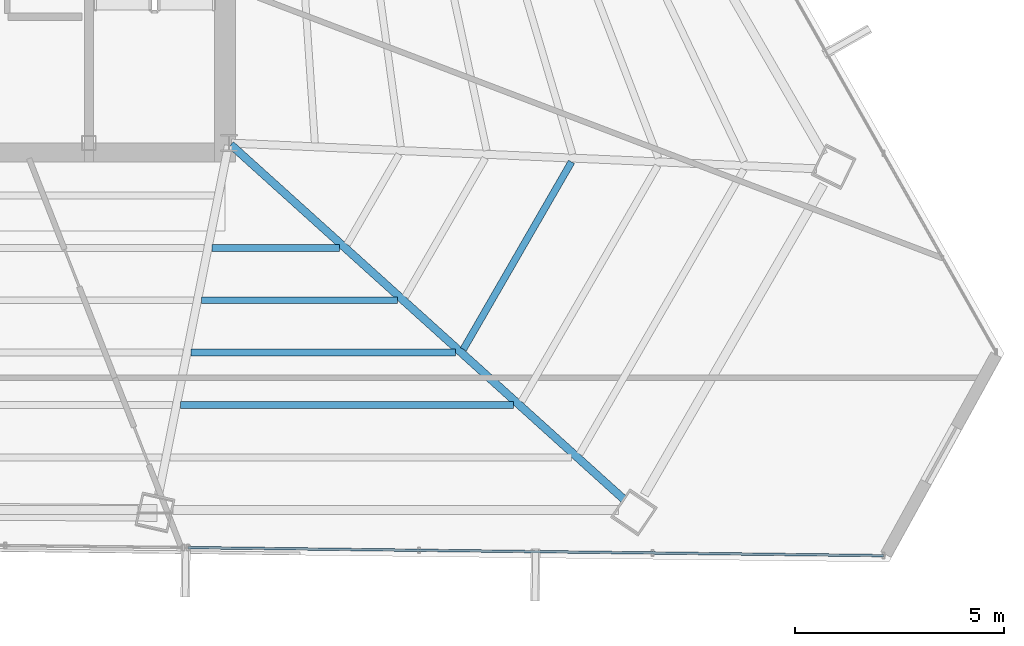
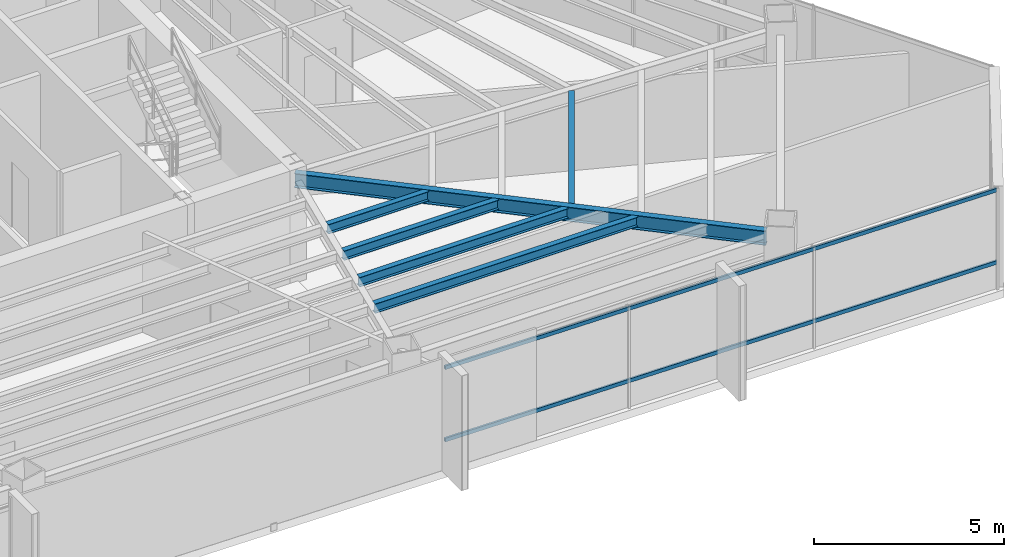
# One storey, part 19 of 40: 6 beams, 2 members, 1 element without a shape of its own.
"""IFC4 building model written with IfcOpenShell, lengths in metres."""

from ifc_helpers import new_model, si_unit, direction, frame, origin, origin_2d, place, context, subcontext, project, spatial, hollow_rectangle, i_section, extrude, source, transform, mapped, material, material_profile, profile_set, type_object, type_shapes, element, aggregate, save


model = new_model("IFC4")

# Units and contexts
model_context = context("Model", 3, precision=1e-05, world=origin(), true_north=direction((0.0, 1.0)))
body_context = subcontext(model_context, "Body", "Model", "MODEL_VIEW")
ifc_project = project(units=[si_unit("LENGTHUNIT", "METRE"), si_unit("AREAUNIT", "SQUARE_METRE"), si_unit("VOLUMEUNIT", "CUBIC_METRE"), si_unit("PLANEANGLEUNIT", "RADIAN"), si_unit("MASSUNIT", "GRAM", prefix="KILO")], contexts=[model_context])

# Site, building, storey
site_placement = place(None, origin())
site = spatial("IfcSite", under=ifc_project, at=site_placement, CompositionType="ELEMENT")
building_placement = place(site_placement, origin())
building = spatial("IfcBuilding", under=site, at=building_placement, Name="Caelisora Broadcast Tower", CompositionType="ELEMENT")
storey_placement = place(building_placement, frame((0.0, 0.0, 216.89990234375)))
storey = spatial("IfcBuildingStorey", under=building, at=storey_placement, Name="L57", CompositionType="ELEMENT", Elevation=216.89990234375)

# Beams
ifc_material_1 = material(Name="Steel Grade 350 (AS/NZS 3679.1)", Category="steel")
ifc_material_profile_1 = material_profile(ifc_material_1, i_section(OverallWidth=0.19091796875, OverallDepth=0.46044921875, WebThickness=0.010009765625, FlangeThickness=0.01611328125, at=origin_2d()), Name="Steel Grade 350 (AS/NZS 3679.1)")
ifc_profile_set_1 = profile_set([ifc_material_profile_1], Name="Steel Grade 350 (AS/NZS 3679.1)")
beam_type_1 = type_object("IfcBeamType", Name="PG06", PredefinedType="BEAM", material=ifc_profile_set_1)
shared_shape_1 = source(origin(), body_context, "Body", "SweptSolid", [
    extrude(i_section(OverallWidth=0.19091796875, OverallDepth=0.46044921875, WebThickness=0.010009765625, FlangeThickness=0.01611328125, at=origin_2d()), origin(), (0.0, 0.0, 1.0), 12.669189453125),
])
type_shapes(beam_type_1, [shared_shape_1])
beam_1_placement = place(storey_placement, frame((45.544677734375, 17.35986328125, 3.02001953125), z_axis=(0.742525184006, -0.669818147796, 0.0), x_axis=(0.669818147796, 0.742525184006, 0.0)))
element("IfcBeam", 1, at=beam_1_placement, inside=storey, type_object=beam_type_1, Name="L57 beam PG06", PredefinedType="BEAM", context=body_context, shape_type="MappedRepresentation", body=[
    mapped(shared_shape_1, transform((0.0, 0.0, 0.0), scale=1.0)),
])
ifc_material_profile_2 = material_profile(ifc_material_1, i_section(OverallWidth=0.166015625, OverallDepth=0.30712890625, WebThickness=0.006591796875, FlangeThickness=0.01171875, at=origin_2d()), Name="Steel Grade 350 (AS/NZS 3679.1)")
ifc_profile_set_2 = profile_set([ifc_material_profile_2], Name="Steel Grade 350 (AS/NZS 3679.1)")
beam_type_2 = type_object("IfcBeamType", Name="SB03", PredefinedType="JOIST", material=ifc_profile_set_2)
shared_shape_2 = source(origin(), body_context, "Body", "SweptSolid", [
    extrude(i_section(OverallWidth=0.166015625, OverallDepth=0.30712890625, WebThickness=0.006591796875, FlangeThickness=0.01171875, at=origin_2d()), origin(), (0.0, 0.0, 1.0), 5.175048828125),
])
beam_2_placement = place(storey_placement, frame((51.10791015625, 12.4658203125, 3.096435546875), z_axis=(0.499985178294, 0.866033960931, 0.0), x_axis=(-0.866033960931, 0.499985178294, 0.0)))
element("IfcBeam", 2, at=beam_2_placement, inside=storey, type_object=beam_type_2, Name="L57 beam SB03", PredefinedType="JOIST", context=body_context, shape_type="MappedRepresentation", body=[
    mapped(shared_shape_2, transform((0.0, 0.0, 0.0), scale=1.0)),
])
shared_shape_3 = source(origin(), body_context, "Body", "SweptSolid", [
    extrude(i_section(OverallWidth=0.166015625, OverallDepth=0.30712890625, WebThickness=0.006591796875, FlangeThickness=0.01171875, at=origin_2d()), origin(), (0.0, 0.0, 1.0), 3.048095703125),
])
beam_3_placement = place(storey_placement, frame((45.092529296875, 14.891845703125, 3.096435546875), z_axis=(1.0, 0.0, 0.0), x_axis=(0.0, 1.0, 0.0)))
element("IfcBeam", 3, at=beam_3_placement, inside=storey, type_object=beam_type_2, Name="L57 beam SB03", PredefinedType="JOIST", context=body_context, shape_type="MappedRepresentation", body=[
    mapped(shared_shape_3, transform((0.0, 0.0, 0.0), scale=1.0)),
])
shared_shape_4 = source(origin(), body_context, "Body", "SweptSolid", [
    extrude(i_section(OverallWidth=0.166015625, OverallDepth=0.30712890625, WebThickness=0.006591796875, FlangeThickness=0.01171875, at=origin_2d()), origin(), (0.0, 0.0, 1.0), 4.68896484375),
])
beam_4_placement = place(storey_placement, frame((44.841796875, 13.637939453125, 3.096435546875), z_axis=(1.0, 0.0, 0.0), x_axis=(0.0, 1.0, 0.0)))
element("IfcBeam", 4, at=beam_4_placement, inside=storey, type_object=beam_type_2, Name="L57 beam SB03", PredefinedType="JOIST", context=body_context, shape_type="MappedRepresentation", body=[
    mapped(shared_shape_4, transform((0.0, 0.0, 0.0), scale=1.0)),
])
shared_shape_5 = source(origin(), body_context, "Body", "SweptSolid", [
    extrude(i_section(OverallWidth=0.166015625, OverallDepth=0.30712890625, WebThickness=0.006591796875, FlangeThickness=0.01171875, at=origin_2d()), origin(), (0.0, 0.0, 1.0), 6.330078125),
])
beam_5_placement = place(storey_placement, frame((44.5908203125, 12.3837890625, 3.096435546875), z_axis=(1.0, 0.0, 0.0), x_axis=(0.0, 1.0, 0.0)))
element("IfcBeam", 5, at=beam_5_placement, inside=storey, type_object=beam_type_2, Name="L57 beam SB03", PredefinedType="JOIST", context=body_context, shape_type="MappedRepresentation", body=[
    mapped(shared_shape_5, transform((0.0, 0.0, 0.0), scale=1.0)),
])
shared_shape_6 = source(origin(), body_context, "Body", "SweptSolid", [
    extrude(i_section(OverallWidth=0.166015625, OverallDepth=0.30712890625, WebThickness=0.006591796875, FlangeThickness=0.01171875, at=origin_2d()), origin(), (0.0, 0.0, 1.0), 7.97119140625),
])
type_shapes(beam_type_2, [shared_shape_2, shared_shape_3, shared_shape_4, shared_shape_5, shared_shape_6])
beam_6_placement = place(storey_placement, frame((44.33984375, 11.1298828125, 3.096435546875), z_axis=(1.0, 0.0, 0.0), x_axis=(0.0, 1.0, 0.0)))
element("IfcBeam", 6, at=beam_6_placement, inside=storey, type_object=beam_type_2, Name="L57 beam SB03", PredefinedType="JOIST", context=body_context, shape_type="MappedRepresentation", body=[
    mapped(shared_shape_6, transform((0.0, 0.0, 0.0), scale=1.0)),
])

# Curtain wall, members
ifc_material_2 = material(Name="Unitised Aluminium and Low-E Glass Curtain Wall", Category="glass")
curtain_wall_type = type_object("IfcCurtainWallType", Name="CW-Z4", PredefinedType="NOTDEFINED", material=ifc_material_2)
curtain_wall_placement = place(storey_placement, origin())
curtain_wall = element("IfcCurtainWall", 7, at=curtain_wall_placement, inside=storey, type_object=curtain_wall_type, Name="L57 curtain wall CW-Z4", PredefinedType="NOTDEFINED")
ifc_material_3 = material(Name="Aluminium 6063-T6 Anodised Terracotta Bronze", Category="aluminium")
ifc_material_profile_3 = material_profile(ifc_material_3, hollow_rectangle(XDim=0.06005859375, YDim=0.1201171875, WallThickness=0.0029296875, at=origin_2d()), Name="Aluminium 6063-T6 Anodised Terracotta Bronze")
ifc_profile_set_3 = profile_set([ifc_material_profile_3], Name="Aluminium 6063-T6 Anodised Terracotta Bronze")
member_type = type_object("IfcMemberType", Name="CWT-03", PredefinedType="USERDEFINED", material=ifc_profile_set_3)
shared_shape_7 = source(origin(), body_context, "Body", "SweptSolid", [
    extrude(hollow_rectangle(XDim=0.06005859375, YDim=0.1201171875, WallThickness=0.0029296875, at=origin_2d()), origin(), (0.0, 0.0, 1.0), 16.633544921875),
])
type_shapes(member_type, [shared_shape_7])
member_1_placement = place(storey_placement, frame((61.155029296875, 7.528564453125, 0.85009765625), z_axis=(-0.999933619535, 0.011522001752, 0.0), x_axis=(-0.011522001752, -0.999933619535, 0.0)))
member_1 = element("IfcMember", 8, at=member_1_placement, type_object=member_type, Name="L57-CW-B05 transom #1", ObjectType="TRANSOM", PredefinedType="USERDEFINED", context=body_context, shape_type="MappedRepresentation", body=[
    mapped(shared_shape_7, transform((0.0, 0.0, 0.0), scale=1.0)),
])
member_2_placement = place(storey_placement, frame((61.155029296875, 7.528564453125, 3.170166015625), z_axis=(-0.999933619535, 0.011522001752, 0.0), x_axis=(-0.011522001752, -0.999933619535, 0.0)))
member_2 = element("IfcMember", 9, at=member_2_placement, type_object=member_type, Name="L57-CW-B05 transom #2", ObjectType="TRANSOM", PredefinedType="USERDEFINED", context=body_context, shape_type="MappedRepresentation", body=[
    mapped(shared_shape_7, transform((0.0, 0.0, 0.0), scale=1.0)),
])
aggregate(curtain_wall, [member_1, member_2])

save(model, "model.ifc")
